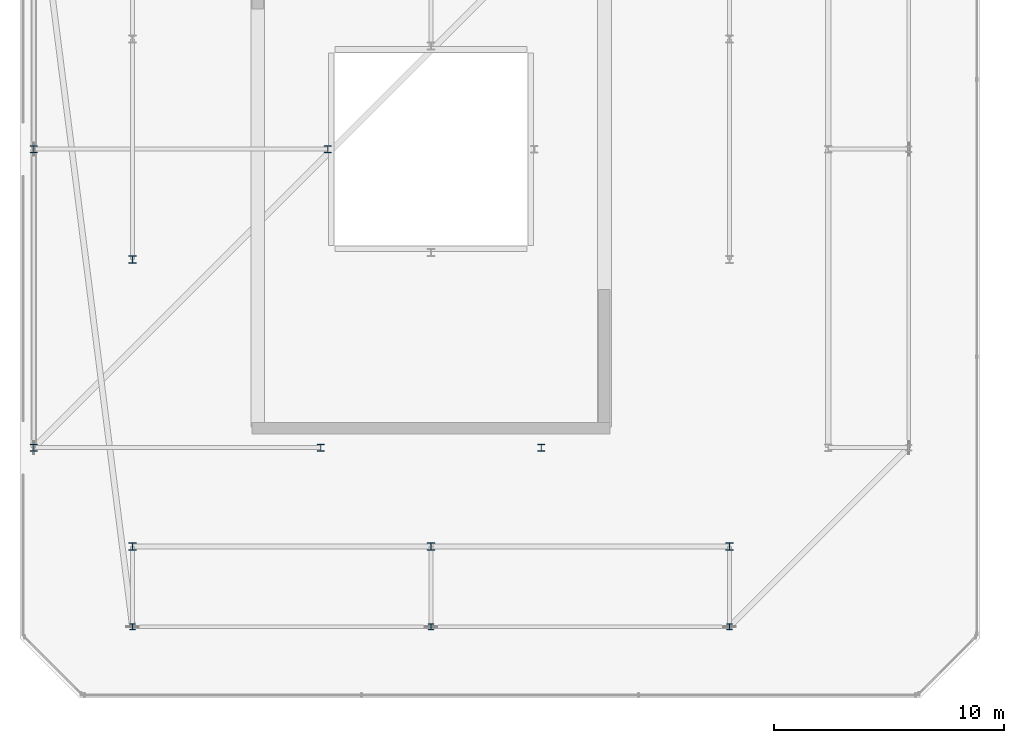
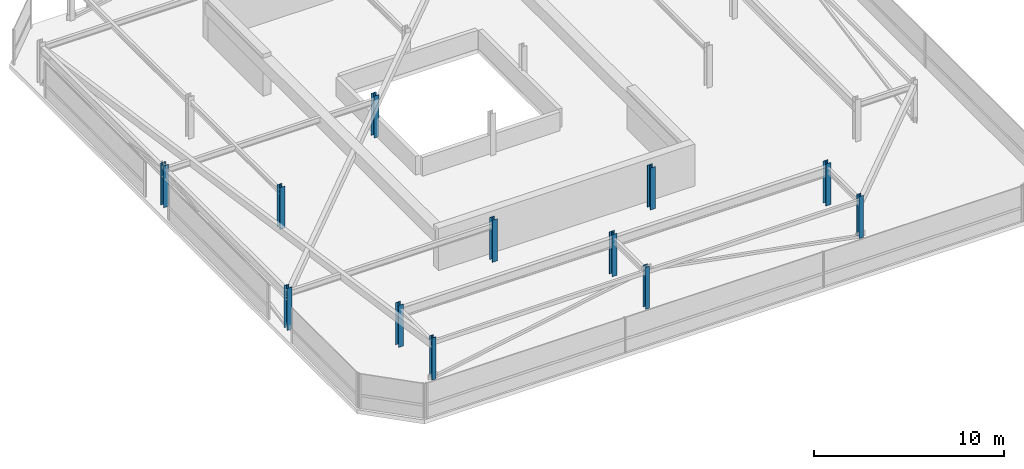
# One storey, part 1 of 44: 12 columns.
"""IFC4 building model written with IfcOpenShell, lengths in metres."""

from ifc_helpers import new_model, si_unit, direction, frame, origin, origin_2d, place, context, subcontext, project, spatial, i_section, extrude, material, material_profile, profile_set, type_object, element, save


model = new_model("IFC4")

# Units and contexts
model_context = context("Model", 3, precision=1e-05, world=origin(), true_north=direction((0.0, 1.0)))
body_context = subcontext(model_context, "Body", "Model", "MODEL_VIEW")
ifc_project = project(units=[si_unit("LENGTHUNIT", "METRE"), si_unit("AREAUNIT", "SQUARE_METRE"), si_unit("VOLUMEUNIT", "CUBIC_METRE"), si_unit("PLANEANGLEUNIT", "RADIAN"), si_unit("MASSUNIT", "GRAM", prefix="KILO")], contexts=[model_context])

# Site, building, storey
site_placement = place(None, origin())
site = spatial("IfcSite", under=ifc_project, at=site_placement, CompositionType="ELEMENT")
building_placement = place(site_placement, origin())
building = spatial("IfcBuilding", under=site, at=building_placement, Name="Thornwick Lancets Civic Towers", CompositionType="ELEMENT")
storey_placement = place(building_placement, frame((0.0, 0.0, 294.89990234375)))
storey = spatial("IfcBuildingStorey", under=building, at=storey_placement, Name="C06", CompositionType="ELEMENT", Elevation=294.89990234375)

# Columns
ifc_material = material(Name="Steel S355JR", Category="steel")
ifc_material_profile_1 = material_profile(ifc_material, i_section(OverallWidth=0.30908203125, OverallDepth=0.320556640625, WebThickness=0.013916015625, FlangeThickness=0.021728515625, FilletRadius=0.01513671875, at=origin_2d()), Name="UKC 305x305x137")
ifc_profile_set_1 = profile_set([ifc_material_profile_1], Name="Steel S355JR")
column_type_1 = type_object("IfcColumnType", Name="COL_UKC_137", PredefinedType="COLUMN", material=ifc_profile_set_1)
for number, where, z_axis, x_axis, name in (
    (1, (12.5, 9.699951171875, 0.0), (0.0, 0.0, 1.0), (1.0, 0.0, 0.0), "C06 Spine Mega-Column A01"),
    (2, (25.5, 9.699951171875, 0.0), (0.0, 0.0, 1.0), (1.0, 0.0, 0.0), "C06 Spine Mega-Column A02"),
    (3, (38.5, 9.699951171875, 0.0), (0.0, 0.0, 1.0), (1.0, 0.0, 0.0), "C06 Spine Mega-Column A03"),
    (4, (8.199951171875, 14.0, 0.0), (0.0, 0.0, 1.0), (1.0, 0.0, 0.0), "C06 Spine Mega-Column A10"),
    (5, (8.199951171875, 27.0, 0.0), (0.0, 0.0, 1.0), (1.0, 0.0, 0.0), "C06 Spine Mega-Column A11"),
    (6, (12.5, 22.199951171875, 0.0), (0.0, 0.0, 1.0), (1.0, 0.0, 0.0), "C06 Spine Mega-Column A13"),
    (7, (20.699951171875, 14.0, 0.0), (0.0, 0.0, 1.0), (1.0, 0.0, 0.0), "C06 Spine Mega-Column A17"),
    (8, (30.300048828125, 14.0, 0.0), (0.0, 0.0, 1.0), (1.0, 0.0, 0.0), "C06 Spine Mega-Column A18"),
    (9, (21.0, 27.0, 0.0), (0.0, 0.0, 1.0), (1.0, 0.0, 0.0), "C06 Spine Mega-Column A23"),
):
    element("IfcColumn", number, at=place(storey_placement, frame(where, z_axis=z_axis, x_axis=x_axis)), inside=storey, type_object=column_type_1, Name=name, PredefinedType="COLUMN", context=body_context, shape_type="SweptSolid", body=[
        extrude(i_section(OverallWidth=0.30908203125, OverallDepth=0.320556640625, WebThickness=0.013916015625, FlangeThickness=0.021728515625, FilletRadius=0.01513671875, at=origin_2d()), origin(), (0.0, 0.0, 1.0), 2.7001953125),
    ])
ifc_material_profile_2 = material_profile(ifc_material, i_section(OverallWidth=0.25634765625, OverallDepth=0.26025390625, WebThickness=0.01025390625, FlangeThickness=0.017333984375, FilletRadius=0.0126953125, at=origin_2d()), Name="UKC 254x254x89")
ifc_profile_set_2 = profile_set([ifc_material_profile_2], Name="Steel S355JR")
column_type_2 = type_object("IfcColumnType", Name="COL_UKC_89", PredefinedType="COLUMN", material=ifc_profile_set_2)
for number, where, z_axis, x_axis, name in (
    (10, (12.5, 6.199951171875, 0.0), (0.0, 0.0, 1.0), (1.0, 0.0, 0.0), "C06 Block Perimeter Column A01"),
    (11, (25.5, 6.199951171875, 0.0), (0.0, 0.0, 1.0), (1.0, 0.0, 0.0), "C06 Block Perimeter Column A02"),
    (12, (38.5, 6.199951171875, 0.0), (0.0, 0.0, 1.0), (1.0, 0.0, 0.0), "C06 Block Perimeter Column A03"),
):
    element("IfcColumn", number, at=place(storey_placement, frame(where, z_axis=z_axis, x_axis=x_axis)), inside=storey, type_object=column_type_2, Name=name, PredefinedType="COLUMN", context=body_context, shape_type="SweptSolid", body=[
        extrude(i_section(OverallWidth=0.25634765625, OverallDepth=0.26025390625, WebThickness=0.01025390625, FlangeThickness=0.017333984375, FilletRadius=0.0126953125, at=origin_2d()), origin(), (0.0, 0.0, 1.0), 2.7001953125),
    ])

save(model, "model.ifc")
